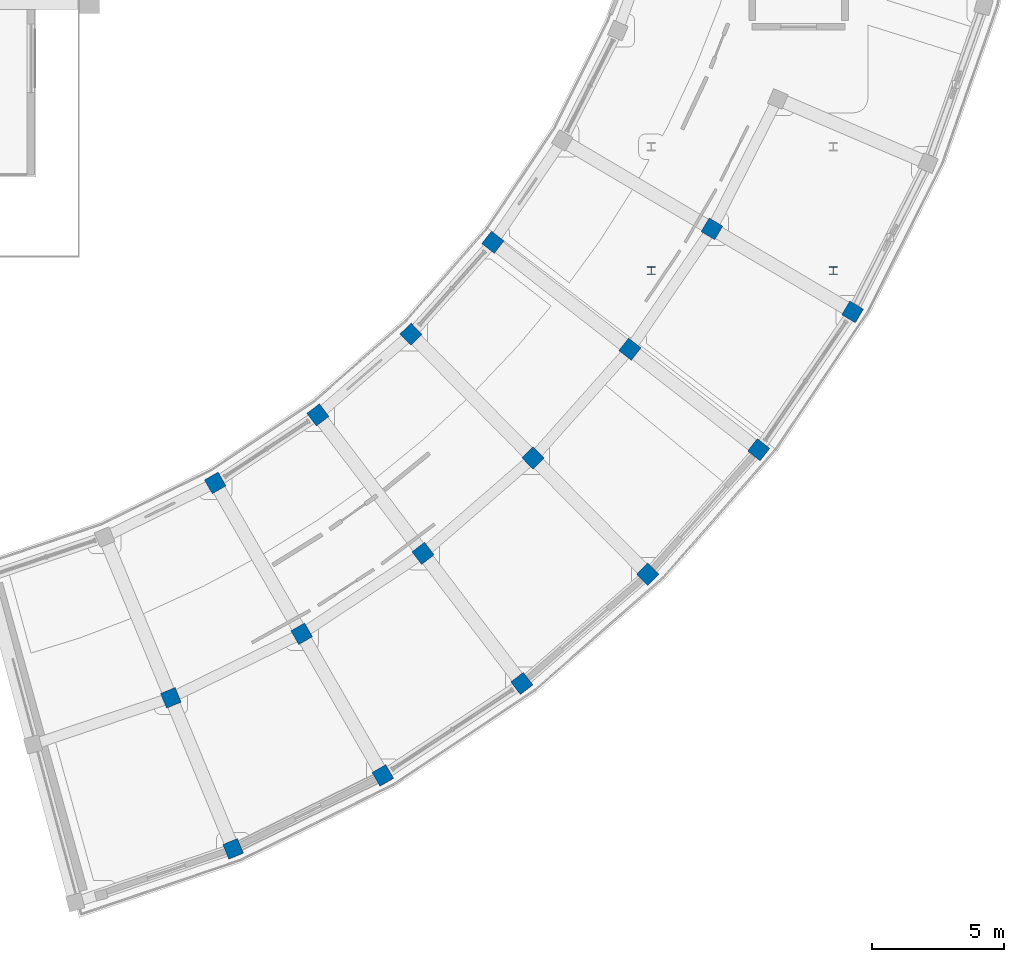
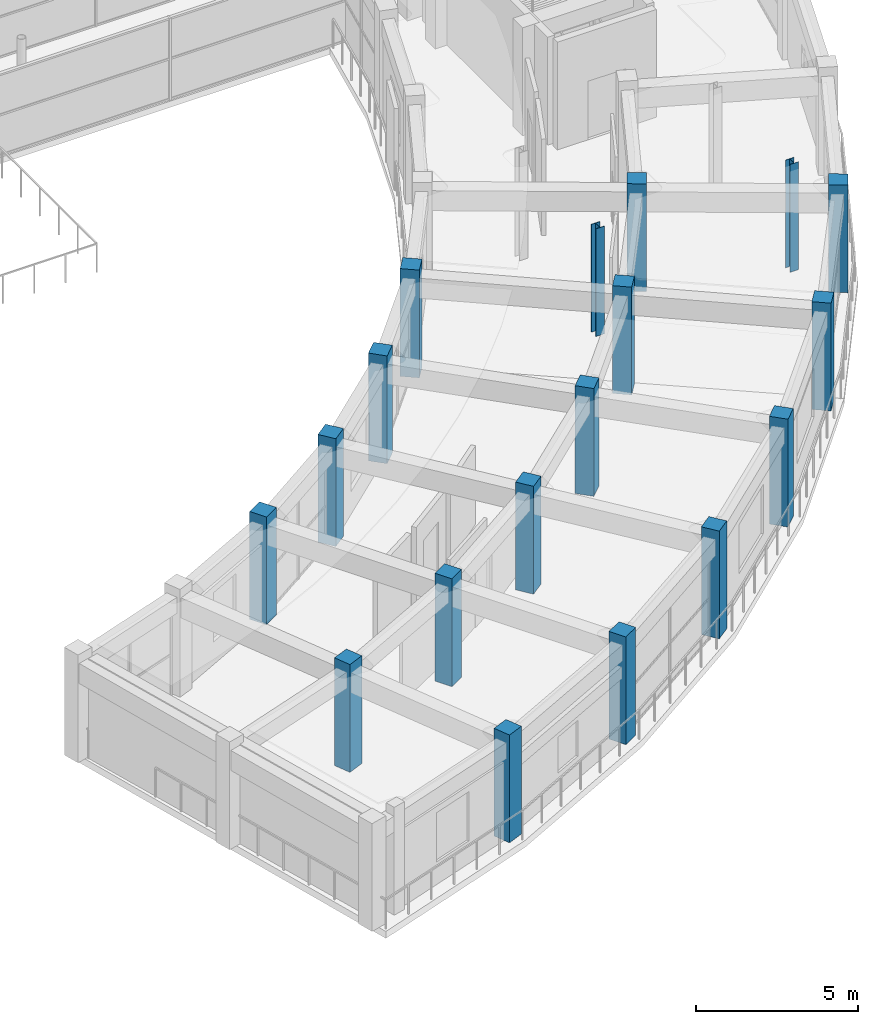
# One storey, part 5 of 72: 18 columns.
"""IFC4 building model written with IfcOpenShell, lengths in metres."""

from ifc_helpers import new_model, si_unit, direction, frame, origin, origin_2d, place, context, subcontext, project, spatial, rectangle, i_section, extrude, material, material_profile, profile_set, type_object, element, save


model = new_model("IFC4")

# Units and contexts
model_context = context("Model", 3, precision=1e-05, world=origin(), true_north=direction((0.0, 1.0)))
body_context = subcontext(model_context, "Body", "Model", "MODEL_VIEW")
ifc_project = project(units=[si_unit("LENGTHUNIT", "METRE"), si_unit("AREAUNIT", "SQUARE_METRE"), si_unit("VOLUMEUNIT", "CUBIC_METRE"), si_unit("PLANEANGLEUNIT", "RADIAN"), si_unit("MASSUNIT", "GRAM", prefix="KILO")], contexts=[model_context])

# Site, building, storey
site_placement = place(None, origin())
site = spatial("IfcSite", under=ifc_project, at=site_placement, CompositionType="ELEMENT")
building_placement = place(site_placement, origin())
building = spatial("IfcBuilding", under=site, at=building_placement, Name="Saryqyr Civic Hall", CompositionType="ELEMENT")
storey_placement = place(building_placement, frame((0.0, 0.0, 17.25)))
storey = spatial("IfcBuildingStorey", under=building, at=storey_placement, Name="L04", CompositionType="ELEMENT", Elevation=17.25)

# Columns
ifc_material_1 = material(Name="Steel S355", Category="steel")
ifc_material_profile_1 = material_profile(ifc_material_1, i_section(OverallWidth=0.300048828125, OverallDepth=0.2900390625, WebThickness=0.008544921875, FlangeThickness=0.013916015625, at=origin_2d()), Name="HEA 300")
ifc_profile_set_1 = profile_set([ifc_material_profile_1], Name="Steel S355")
column_type_1 = type_object("IfcColumnType", Name="STR-COL-HEA300-S355", PredefinedType="COLUMN", material=ifc_profile_set_1)
for number, where, z_axis, x_axis, name in (
    (1, (91.550048828125, 60.64990234375, 0.0), (0.0, 0.0, 1.0), (1.0, 0.0, 0.0), "Column RGV5-COL-1-L04"),
    (2, (98.449951171875, 60.64990234375, 0.0), (0.0, 0.0, 1.0), (1.0, 0.0, 0.0), "Column RGV5-COL-2-L04"),
):
    element("IfcColumn", number, at=place(storey_placement, frame(where, z_axis=z_axis, x_axis=x_axis)), inside=storey, type_object=column_type_1, Name=name, PredefinedType="COLUMN", context=body_context, shape_type="SweptSolid", body=[
        extrude(i_section(OverallWidth=0.300048828125, OverallDepth=0.2900390625, WebThickness=0.008544921875, FlangeThickness=0.013916015625, at=origin_2d()), origin(), (0.0, 0.0, 1.0), 4.050048828125),
    ])
ifc_material_2 = material(Name="Concrete C40/50", Category="concrete")
ifc_material_profile_2 = material_profile(ifc_material_2, rectangle(XDim=0.60009765625, YDim=0.60009765625, at=origin_2d()), Name="RC 600x600")
ifc_profile_set_2 = profile_set([ifc_material_profile_2], Name="Concrete C40/50")
column_type_2 = type_object("IfcColumnType", Name="STR-COL-RC600-C40", PredefinedType="COLUMN", material=ifc_profile_set_2)
for number, where, z_axis, x_axis, name in (
    (3, (73.313232421875, 44.430908203125, 0.0), (0.0, 0.0, 1.0), (0.38107037635, -0.924546033612, 0.0), "Column V5-COL-MID01-L04"),
    (4, (75.676513671875, 38.698974609375, 0.0), (0.0, 0.0, 1.0), (0.38107037635, -0.924546033612, 0.0), "Column V5-COL-OUT01-L04"),
    (5, (74.995849609375, 52.590087890625, 0.0), (0.0, 0.0, 1.0), (0.4971254071, -0.867678701833, 0.0), "Column V5-COL-IN02-L04"),
    (6, (78.277099609375, 46.86328125, 0.0), (0.0, 0.0, 1.0), (0.4971254071, -0.867678701833, 0.0), "Column V5-COL-MID02-L04"),
    (7, (81.359130859375, 41.483642578125, 0.0), (0.0, 0.0, 1.0), (0.4971254071, -0.867678701833, 0.0), "Column V5-COL-OUT02-L04"),
    (8, (78.89404296875, 55.17138671875, 0.0), (0.0, 0.0, 1.0), (0.604877119416, -0.796318824597, 0.0), "Column V5-COL-IN03-L04"),
    (9, (82.8857421875, 49.915283203125, 0.0), (0.0, 0.0, 1.0), (0.604877119416, -0.796318824597, 0.0), "Column V5-COL-MID03-L04"),
    (10, (86.635498046875, 44.977783203125, 0.0), (0.0, 0.0, 1.0), (0.604877119416, -0.796318824597, 0.0), "Column V5-COL-OUT03-L04"),
    (11, (82.427001953125, 58.2333984375, 0.0), (0.0, 0.0, 1.0), (0.70240155419, -0.711780904964, 0.0), "Column V5-COL-IN04-L04"),
    (12, (87.062744140625, 53.535888671875, 0.0), (0.0, 0.0, 1.0), (0.70240155419, -0.711780904964, 0.0), "Column V5-COL-MID04-L04"),
    (13, (91.417724609375, 49.122802734375, 0.0), (0.0, 0.0, 1.0), (0.70240155419, -0.711780904964, 0.0), "Column V5-COL-OUT04-L04"),
    (14, (85.53564453125, 61.7255859375, 0.0), (0.0, 0.0, 1.0), (0.78822561199, -0.615386370179, 0.0), "Column V5-COL-IN05-L04"),
    (15, (90.73828125, 57.664306640625, 0.0), (0.0, 0.0, 1.0), (0.78822561199, -0.615386370179, 0.0), "Column V5-COL-MID05-L04"),
    (16, (95.625732421875, 53.849365234375, 0.0), (0.0, 0.0, 1.0), (0.78822561199, -0.615386370179, 0.0), "Column V5-COL-OUT05-L04"),
    (17, (93.851318359375, 62.232421875, 0.0), (0.0, 0.0, 1.0), (0.861008442465, -0.508590662521, 0.0), "Column V5-COL-MID06-L04"),
    (18, (99.189453125, 59.0791015625, 0.0), (0.0, 0.0, 1.0), (0.861008442465, -0.508590662521, 0.0), "Column V5-COL-OUT06-L04"),
):
    element("IfcColumn", number, at=place(storey_placement, frame(where, z_axis=z_axis, x_axis=x_axis)), inside=storey, type_object=column_type_2, Name=name, PredefinedType="COLUMN", context=body_context, shape_type="SweptSolid", body=[
        extrude(rectangle(XDim=0.60009765625, YDim=0.60009765625, at=origin_2d()), origin(), (0.0, 0.0, 1.0), 4.050048828125),
    ])

save(model, "model.ifc")
